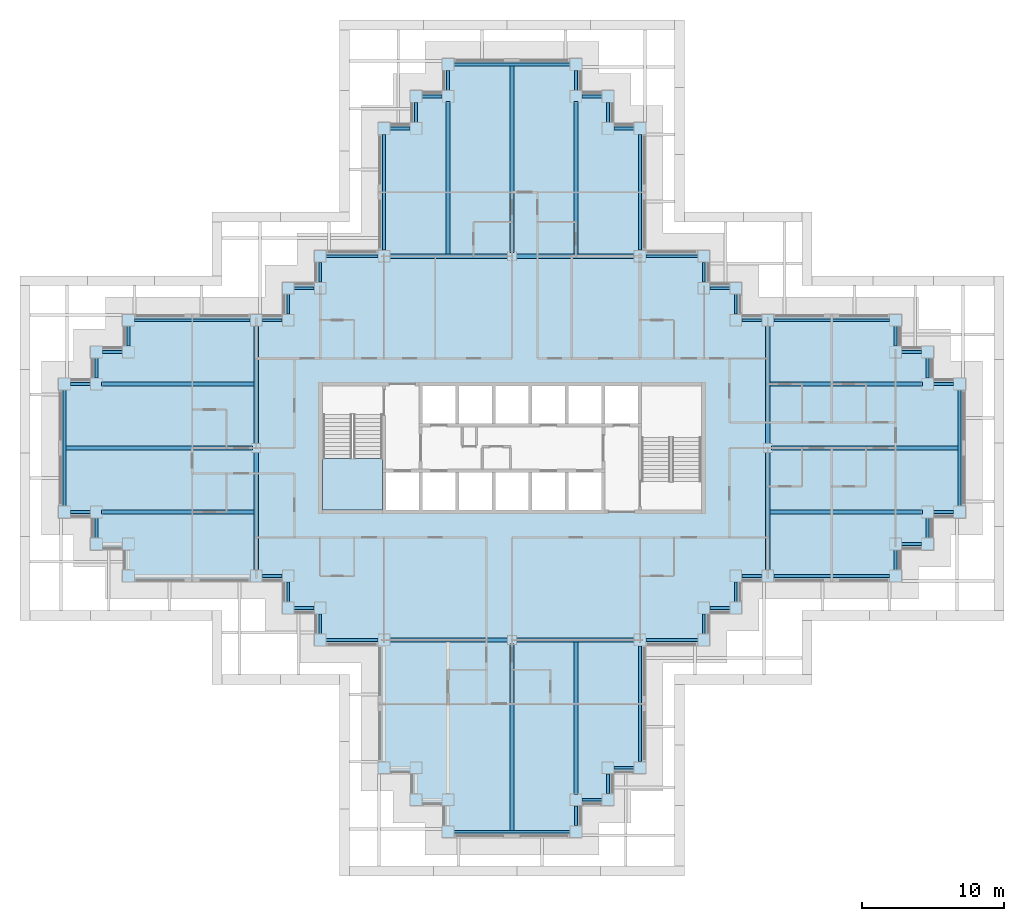
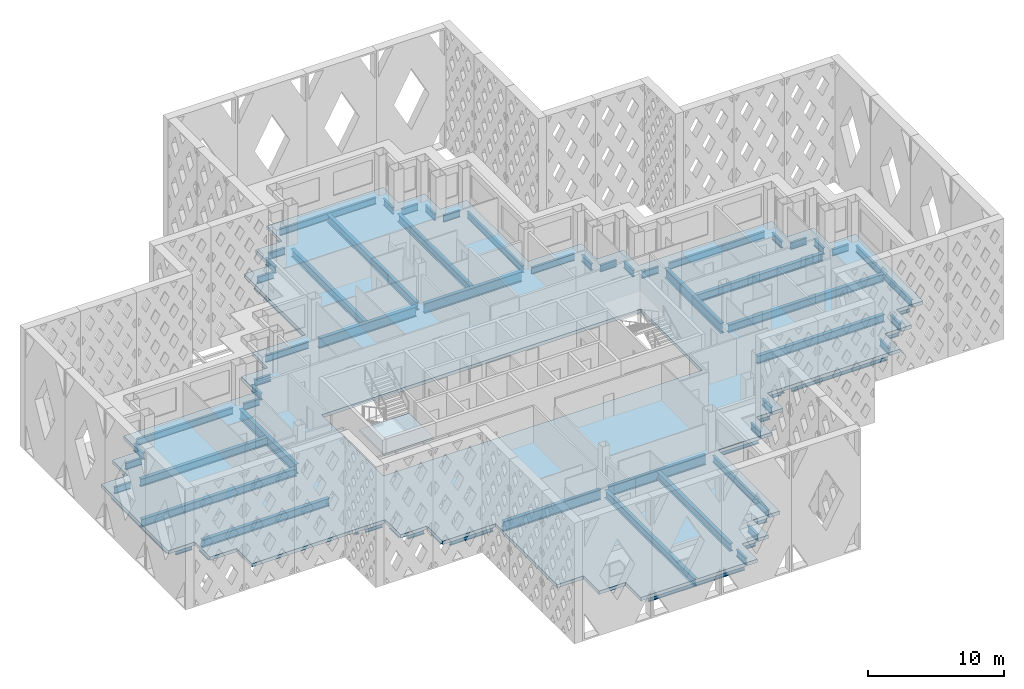
# One storey, part 3 of 21: 75 beams, 2 slabs, 1 element without a shape of its own.
"""IFC4 building model written with IfcOpenShell, lengths in metres."""

from ifc_helpers import new_model, si_unit, direction, frame, origin, origin_2d, place, context, subcontext, project, spatial, polyline, i_section, outline, extrude, material, layer, layer_set, material_profile, profile_set, type_object, element, aggregate, save


model = new_model("IFC4")

# Units and contexts
model_context = context("Model", 3, precision=1e-05, world=origin(), true_north=direction((0.0, 1.0)))
body_context = subcontext(model_context, "Body", "Model", "MODEL_VIEW")
ifc_project = project(units=[si_unit("LENGTHUNIT", "METRE"), si_unit("AREAUNIT", "SQUARE_METRE"), si_unit("VOLUMEUNIT", "CUBIC_METRE"), si_unit("PLANEANGLEUNIT", "RADIAN"), si_unit("MASSUNIT", "GRAM", prefix="KILO")], contexts=[model_context])

# Site, building, storey
site_placement = place(None, origin())
site = spatial("IfcSite", under=ifc_project, at=site_placement, CompositionType="ELEMENT")
building_placement = place(site_placement, origin())
building = spatial("IfcBuilding", under=site, at=building_placement, Name="Caravel Reach Hotel and Residences", CompositionType="ELEMENT")
storey_placement = place(building_placement, frame((0.0, 0.0, 129.60009765625)))
storey = spatial("IfcBuildingStorey", under=building, at=storey_placement, Name="L32", CompositionType="ELEMENT", Elevation=129.60009765625)

# Beams
ifc_material_1 = material(Name="Structural steel Q355B", Category="steel")
ifc_material_profile_1 = material_profile(ifc_material_1, i_section(OverallWidth=0.300048828125, OverallDepth=0.699951171875, WebThickness=0.012939453125, FlangeThickness=0.02392578125, FilletRadius=0.01806640625, at=origin_2d()), Name="HN 700x300x13x24")
ifc_profile_set_1 = profile_set([ifc_material_profile_1], Name="Structural steel Q355B")
beam_type_1 = type_object("IfcBeamType", Name="Beam HN 700x300x13x24", PredefinedType="BEAM", material=ifc_profile_set_1)
beam_1_placement = place(storey_placement, frame((27.0, 40.60009765625, -0.650146484375), z_axis=(0.0, 1.0, 0.0), x_axis=(-1.0, 0.0, 0.0)))
element("IfcBeam", 1, at=beam_1_placement, inside=storey, type_object=beam_type_1, Name="B2 HN 700x300x13x24", PredefinedType="BEAM", context=body_context, shape_type="SweptSolid", body=[
    extrude(i_section(OverallWidth=0.300048828125, OverallDepth=0.699951171875, WebThickness=0.012939453125, FlangeThickness=0.02392578125, FilletRadius=0.01806640625, at=origin_2d()), origin(), (0.0, 0.0, 1.0), 10.77490234375),
])
beam_2_placement = place(storey_placement, frame((31.5, 40.77490234375, -0.650146484375), z_axis=(0.0, 1.0, 0.0), x_axis=(-1.0, 0.0, 0.0)))
element("IfcBeam", 2, at=beam_2_placement, inside=storey, type_object=beam_type_1, Name="B2 HN 700x300x13x24", PredefinedType="BEAM", context=body_context, shape_type="SweptSolid", body=[
    extrude(i_section(OverallWidth=0.300048828125, OverallDepth=0.699951171875, WebThickness=0.012939453125, FlangeThickness=0.02392578125, FilletRadius=0.01806640625, at=origin_2d()), origin(), (0.0, 0.0, 1.0), 13.125),
])
beam_3_placement = place(storey_placement, frame((36.0, 40.60009765625, -0.650146484375), z_axis=(0.0, 1.0, 0.0), x_axis=(-1.0, 0.0, 0.0)))
element("IfcBeam", 3, at=beam_3_placement, inside=storey, type_object=beam_type_1, Name="B2 HN 700x300x13x24", PredefinedType="BEAM", context=body_context, shape_type="SweptSolid", body=[
    extrude(i_section(OverallWidth=0.300048828125, OverallDepth=0.699951171875, WebThickness=0.012939453125, FlangeThickness=0.02392578125, FilletRadius=0.01806640625, at=origin_2d()), origin(), (0.0, 0.0, 1.0), 10.77490234375),
])
beam_4_placement = place(storey_placement, frame((31.5, 13.22509765625, -0.650146484375), z_axis=(0.0, -1.0, 0.0), x_axis=(1.0, 0.0, 0.0)))
element("IfcBeam", 4, at=beam_4_placement, inside=storey, type_object=beam_type_1, Name="B2 HN 700x300x13x24", PredefinedType="BEAM", context=body_context, shape_type="SweptSolid", body=[
    extrude(i_section(OverallWidth=0.300048828125, OverallDepth=0.699951171875, WebThickness=0.012939453125, FlangeThickness=0.02392578125, FilletRadius=0.01806640625, at=origin_2d()), origin(), (0.0, 0.0, 1.0), 13.125),
])
for number, where, z_axis, x_axis, name in (
    (5, (36.0, 13.39990234375, -0.650146484375), (0.0, -1.0, 0.0), (1.0, 0.0, 0.0), "B2 HN 700x300x13x24"),
    (6, (49.60009765625, 22.5, -0.650146484375), (1.0, 0.0, 0.0), (0.0, 1.0, 0.0), "B2 HN 700x300x13x24"),
):
    element("IfcBeam", number, at=place(storey_placement, frame(where, z_axis=z_axis, x_axis=x_axis)), inside=storey, type_object=beam_type_1, Name=name, PredefinedType="BEAM", context=body_context, shape_type="SweptSolid", body=[
        extrude(i_section(OverallWidth=0.300048828125, OverallDepth=0.699951171875, WebThickness=0.012939453125, FlangeThickness=0.02392578125, FilletRadius=0.01806640625, at=origin_2d()), origin(), (0.0, 0.0, 1.0), 10.77490234375),
    ])
beam_5_placement = place(storey_placement, frame((49.77490234375, 27.0, -0.650146484375), z_axis=(1.0, 0.0, 0.0), x_axis=(0.0, 1.0, 0.0)))
element("IfcBeam", 7, at=beam_5_placement, inside=storey, type_object=beam_type_1, Name="B2 HN 700x300x13x24", PredefinedType="BEAM", context=body_context, shape_type="SweptSolid", body=[
    extrude(i_section(OverallWidth=0.300048828125, OverallDepth=0.699951171875, WebThickness=0.012939453125, FlangeThickness=0.02392578125, FilletRadius=0.01806640625, at=origin_2d()), origin(), (0.0, 0.0, 1.0), 13.125),
])
for number, where, z_axis, x_axis, name in (
    (8, (49.60009765625, 31.5, -0.650146484375), (1.0, 0.0, 0.0), (0.0, 1.0, 0.0), "B2 HN 700x300x13x24"),
    (9, (13.39990234375, 22.5, -0.650146484375), (-1.0, 0.0, 0.0), (0.0, -1.0, 0.0), "B2 HN 700x300x13x24"),
):
    element("IfcBeam", number, at=place(storey_placement, frame(where, z_axis=z_axis, x_axis=x_axis)), inside=storey, type_object=beam_type_1, Name=name, PredefinedType="BEAM", context=body_context, shape_type="SweptSolid", body=[
        extrude(i_section(OverallWidth=0.300048828125, OverallDepth=0.699951171875, WebThickness=0.012939453125, FlangeThickness=0.02392578125, FilletRadius=0.01806640625, at=origin_2d()), origin(), (0.0, 0.0, 1.0), 10.77490234375),
    ])
beam_6_placement = place(storey_placement, frame((13.22509765625, 27.0, -0.650146484375), z_axis=(-1.0, 0.0, 0.0), x_axis=(0.0, -1.0, 0.0)))
element("IfcBeam", 10, at=beam_6_placement, inside=storey, type_object=beam_type_1, Name="B2 HN 700x300x13x24", PredefinedType="BEAM", context=body_context, shape_type="SweptSolid", body=[
    extrude(i_section(OverallWidth=0.300048828125, OverallDepth=0.699951171875, WebThickness=0.012939453125, FlangeThickness=0.02392578125, FilletRadius=0.01806640625, at=origin_2d()), origin(), (0.0, 0.0, 1.0), 13.125),
])
beam_7_placement = place(storey_placement, frame((13.39990234375, 31.5, -0.650146484375), z_axis=(-1.0, 0.0, 0.0), x_axis=(0.0, -1.0, 0.0)))
element("IfcBeam", 11, at=beam_7_placement, inside=storey, type_object=beam_type_1, Name="B2 HN 700x300x13x24", PredefinedType="BEAM", context=body_context, shape_type="SweptSolid", body=[
    extrude(i_section(OverallWidth=0.300048828125, OverallDepth=0.699951171875, WebThickness=0.012939453125, FlangeThickness=0.02392578125, FilletRadius=0.01806640625, at=origin_2d()), origin(), (0.0, 0.0, 1.0), 10.77490234375),
])
ifc_material_2 = material(Name="Structural steel Q355B", Category="steel")
ifc_material_profile_2 = material_profile(ifc_material_2, i_section(OverallWidth=0.300048828125, OverallDepth=0.89990234375, WebThickness=0.01611328125, FlangeThickness=0.028076171875, FilletRadius=0.01806640625, at=origin_2d()), Name="HN 900x300x16x28")
ifc_profile_set_2 = profile_set([ifc_material_profile_2], Name="Structural steel Q355B")
beam_type_2 = type_object("IfcBeamType", Name="Beam HN 900x300x16x28", PredefinedType="BEAM", material=ifc_profile_set_2)
for number, where, z_axis, x_axis, name in (
    (12, (22.925048828125, 40.5, -0.75), (1.0, 0.0, 0.0), (0.0, 1.0, 0.0), "B3 HN 900x300x16x28"),
    (13, (31.824951171875, 40.5, -0.75), (1.0, 0.0, 0.0), (0.0, 1.0, 0.0), "B3 HN 900x300x16x28"),
    (14, (22.925048828125, 13.5, -0.75), (1.0, 0.0, 0.0), (0.0, 1.0, 0.0), "B3 HN 900x300x16x28"),
    (15, (31.824951171875, 13.5, -0.75), (1.0, 0.0, 0.0), (0.0, 1.0, 0.0), "B3 HN 900x300x16x28"),
    (16, (13.5, 18.425048828125, -0.75), (0.0, 1.0, 0.0), (-1.0, 0.0, 0.0), "B3 HN 900x300x16x28"),
    (17, (13.5, 27.324951171875, -0.75), (0.0, 1.0, 0.0), (-1.0, 0.0, 0.0), "B3 HN 900x300x16x28"),
    (18, (49.5, 18.425048828125, -0.75), (0.0, 1.0, 0.0), (-1.0, 0.0, 0.0), "B3 HN 900x300x16x28"),
    (19, (49.5, 27.324951171875, -0.75), (0.0, 1.0, 0.0), (-1.0, 0.0, 0.0), "B3 HN 900x300x16x28"),
):
    element("IfcBeam", number, at=place(storey_placement, frame(where, z_axis=z_axis, x_axis=x_axis)), inside=storey, type_object=beam_type_2, Name=name, PredefinedType="BEAM", context=body_context, shape_type="SweptSolid", body=[
        extrude(i_section(OverallWidth=0.300048828125, OverallDepth=0.89990234375, WebThickness=0.01611328125, FlangeThickness=0.028076171875, FilletRadius=0.01806640625, at=origin_2d()), origin(), (0.0, 0.0, 1.0), 8.25),
    ])
ifc_material_3 = material(Name="Structural steel Q355B", Category="steel")
ifc_material_profile_3 = material_profile(ifc_material_3, i_section(OverallWidth=0.199951171875, OverallDepth=0.60009765625, WebThickness=0.010986328125, FlangeThickness=0.01708984375, FilletRadius=0.012939453125, at=origin_2d()), Name="HN 600x200x11x17")
ifc_profile_set_3 = profile_set([ifc_material_profile_3], Name="Structural steel Q355B")
beam_type_3 = type_object("IfcBeamType", Name="Spandrel beam HN 600x200x11x17", PredefinedType="SPANDREL", material=ifc_profile_set_3)
beam_8_placement = place(storey_placement, frame((27.425048828125, 0.0, -0.60009765625), z_axis=(1.0, 0.0, 0.0), x_axis=(0.0, 1.0, 0.0)))
element("IfcBeam", 20, at=beam_8_placement, inside=storey, type_object=beam_type_3, Name="SP1 HN 600x200x11x17", PredefinedType="SPANDREL", context=body_context, shape_type="SweptSolid", body=[
    extrude(i_section(OverallWidth=0.199951171875, OverallDepth=0.60009765625, WebThickness=0.010986328125, FlangeThickness=0.01708984375, FilletRadius=0.012939453125, at=origin_2d()), origin(), (0.0, 0.0, 1.0), 8.14990234375),
])
for number, where, z_axis, x_axis, name in (
    (21, (36.0, 0.425048828125, -0.60009765625), (0.0, 1.0, 0.0), (-1.0, 0.0, 0.0), "SP1 HN 600x200x11x17"),
    (22, (36.425048828125, 2.25, -0.60009765625), (1.0, 0.0, 0.0), (0.0, 1.0, 0.0), "SP1 HN 600x200x11x17"),
    (23, (38.25, 2.675048828125, -0.60009765625), (0.0, 1.0, 0.0), (-1.0, 0.0, 0.0), "SP1 HN 600x200x11x17"),
    (24, (38.675048828125, 4.5, -0.60009765625), (1.0, 0.0, 0.0), (0.0, 1.0, 0.0), "SP1 HN 600x200x11x17"),
):
    element("IfcBeam", number, at=place(storey_placement, frame(where, z_axis=z_axis, x_axis=x_axis)), inside=storey, type_object=beam_type_3, Name=name, PredefinedType="SPANDREL", context=body_context, shape_type="SweptSolid", body=[
        extrude(i_section(OverallWidth=0.199951171875, OverallDepth=0.60009765625, WebThickness=0.010986328125, FlangeThickness=0.01708984375, FilletRadius=0.012939453125, at=origin_2d()), origin(), (0.0, 0.0, 1.0), 1.39990234375),
    ])
beam_9_placement = place(storey_placement, frame((40.5, 4.925048828125, -0.60009765625), z_axis=(0.0, 1.0, 0.0), x_axis=(-1.0, 0.0, 0.0)))
element("IfcBeam", 25, at=beam_9_placement, inside=storey, type_object=beam_type_3, Name="SP1 HN 600x200x11x17", PredefinedType="SPANDREL", context=body_context, shape_type="SweptSolid", body=[
    extrude(i_section(OverallWidth=0.199951171875, OverallDepth=0.60009765625, WebThickness=0.010986328125, FlangeThickness=0.01708984375, FilletRadius=0.012939453125, at=origin_2d()), origin(), (0.0, 0.0, 1.0), 8.14990234375),
])
beam_10_placement = place(storey_placement, frame((40.925048828125, 13.5, -0.60009765625), z_axis=(1.0, 0.0, 0.0), x_axis=(0.0, 1.0, 0.0)))
element("IfcBeam", 26, at=beam_10_placement, inside=storey, type_object=beam_type_3, Name="SP1 HN 600x200x11x17", PredefinedType="SPANDREL", context=body_context, shape_type="SweptSolid", body=[
    extrude(i_section(OverallWidth=0.199951171875, OverallDepth=0.60009765625, WebThickness=0.010986328125, FlangeThickness=0.01708984375, FilletRadius=0.012939453125, at=origin_2d()), origin(), (0.0, 0.0, 1.0), 3.64990234375),
])
for number, where, z_axis, x_axis, name in (
    (27, (45.0, 13.925048828125, -0.60009765625), (0.0, 1.0, 0.0), (-1.0, 0.0, 0.0), "SP1 HN 600x200x11x17"),
    (28, (45.425048828125, 15.75, -0.60009765625), (1.0, 0.0, 0.0), (0.0, 1.0, 0.0), "SP1 HN 600x200x11x17"),
    (29, (47.25, 16.175048828125, -0.60009765625), (0.0, 1.0, 0.0), (-1.0, 0.0, 0.0), "SP1 HN 600x200x11x17"),
    (30, (47.675048828125, 18.0, -0.60009765625), (1.0, 0.0, 0.0), (0.0, 1.0, 0.0), "SP1 HN 600x200x11x17"),
):
    element("IfcBeam", number, at=place(storey_placement, frame(where, z_axis=z_axis, x_axis=x_axis)), inside=storey, type_object=beam_type_3, Name=name, PredefinedType="SPANDREL", context=body_context, shape_type="SweptSolid", body=[
        extrude(i_section(OverallWidth=0.199951171875, OverallDepth=0.60009765625, WebThickness=0.010986328125, FlangeThickness=0.01708984375, FilletRadius=0.012939453125, at=origin_2d()), origin(), (0.0, 0.0, 1.0), 1.39990234375),
    ])
beam_11_placement = place(storey_placement, frame((49.925048828125, 18.0, -0.60009765625), z_axis=(1.0, 0.0, 0.0), x_axis=(0.0, 1.0, 0.0)))
element("IfcBeam", 31, at=beam_11_placement, inside=storey, type_object=beam_type_3, Name="SP1 HN 600x200x11x17", PredefinedType="SPANDREL", context=body_context, shape_type="SweptSolid", body=[
    extrude(i_section(OverallWidth=0.199951171875, OverallDepth=0.60009765625, WebThickness=0.010986328125, FlangeThickness=0.01708984375, FilletRadius=0.012939453125, at=origin_2d()), origin(), (0.0, 0.0, 1.0), 8.14990234375),
])
for number, where, z_axis, x_axis, name in (
    (32, (58.5, 18.425048828125, -0.60009765625), (0.0, 1.0, 0.0), (-1.0, 0.0, 0.0), "SP1 HN 600x200x11x17"),
    (33, (58.925048828125, 20.25, -0.60009765625), (1.0, 0.0, 0.0), (0.0, 1.0, 0.0), "SP1 HN 600x200x11x17"),
    (34, (60.75, 20.675048828125, -0.60009765625), (0.0, 1.0, 0.0), (-1.0, 0.0, 0.0), "SP1 HN 600x200x11x17"),
    (35, (61.175048828125, 22.5, -0.60009765625), (1.0, 0.0, 0.0), (0.0, 1.0, 0.0), "SP1 HN 600x200x11x17"),
):
    element("IfcBeam", number, at=place(storey_placement, frame(where, z_axis=z_axis, x_axis=x_axis)), inside=storey, type_object=beam_type_3, Name=name, PredefinedType="SPANDREL", context=body_context, shape_type="SweptSolid", body=[
        extrude(i_section(OverallWidth=0.199951171875, OverallDepth=0.60009765625, WebThickness=0.010986328125, FlangeThickness=0.01708984375, FilletRadius=0.012939453125, at=origin_2d()), origin(), (0.0, 0.0, 1.0), 1.39990234375),
    ])
beam_12_placement = place(storey_placement, frame((63.0, 22.925048828125, -0.60009765625), z_axis=(0.0, 1.0, 0.0), x_axis=(-1.0, 0.0, 0.0)))
element("IfcBeam", 36, at=beam_12_placement, inside=storey, type_object=beam_type_3, Name="SP1 HN 600x200x11x17", PredefinedType="SPANDREL", context=body_context, shape_type="SweptSolid", body=[
    extrude(i_section(OverallWidth=0.199951171875, OverallDepth=0.60009765625, WebThickness=0.010986328125, FlangeThickness=0.01708984375, FilletRadius=0.012939453125, at=origin_2d()), origin(), (0.0, 0.0, 1.0), 8.14990234375),
])
for number, where, z_axis, x_axis, name in (
    (37, (62.574951171875, 31.5, -0.60009765625), (-1.0, 0.0, 0.0), (0.0, -1.0, 0.0), "SP1 HN 600x200x11x17"),
    (38, (60.75, 31.925048828125, -0.60009765625), (0.0, 1.0, 0.0), (-1.0, 0.0, 0.0), "SP1 HN 600x200x11x17"),
    (39, (60.324951171875, 33.75, -0.60009765625), (-1.0, 0.0, 0.0), (0.0, -1.0, 0.0), "SP1 HN 600x200x11x17"),
    (40, (58.5, 34.175048828125, -0.60009765625), (0.0, 1.0, 0.0), (-1.0, 0.0, 0.0), "SP1 HN 600x200x11x17"),
):
    element("IfcBeam", number, at=place(storey_placement, frame(where, z_axis=z_axis, x_axis=x_axis)), inside=storey, type_object=beam_type_3, Name=name, PredefinedType="SPANDREL", context=body_context, shape_type="SweptSolid", body=[
        extrude(i_section(OverallWidth=0.199951171875, OverallDepth=0.60009765625, WebThickness=0.010986328125, FlangeThickness=0.01708984375, FilletRadius=0.012939453125, at=origin_2d()), origin(), (0.0, 0.0, 1.0), 1.39990234375),
    ])
beam_13_placement = place(storey_placement, frame((58.074951171875, 36.0, -0.60009765625), z_axis=(-1.0, 0.0, 0.0), x_axis=(0.0, -1.0, 0.0)))
element("IfcBeam", 41, at=beam_13_placement, inside=storey, type_object=beam_type_3, Name="SP1 HN 600x200x11x17", PredefinedType="SPANDREL", context=body_context, shape_type="SweptSolid", body=[
    extrude(i_section(OverallWidth=0.199951171875, OverallDepth=0.60009765625, WebThickness=0.010986328125, FlangeThickness=0.01708984375, FilletRadius=0.012939453125, at=origin_2d()), origin(), (0.0, 0.0, 1.0), 8.14990234375),
])
for number, where, z_axis, x_axis, name in (
    (42, (49.074951171875, 36.0, -0.60009765625), (-1.0, 0.0, 0.0), (0.0, -1.0, 0.0), "SP1 HN 600x200x11x17"),
    (43, (47.25, 36.425048828125, -0.60009765625), (0.0, 1.0, 0.0), (-1.0, 0.0, 0.0), "SP1 HN 600x200x11x17"),
    (44, (46.824951171875, 38.25, -0.60009765625), (-1.0, 0.0, 0.0), (0.0, -1.0, 0.0), "SP1 HN 600x200x11x17"),
    (45, (45.0, 38.675048828125, -0.60009765625), (0.0, 1.0, 0.0), (-1.0, 0.0, 0.0), "SP1 HN 600x200x11x17"),
):
    element("IfcBeam", number, at=place(storey_placement, frame(where, z_axis=z_axis, x_axis=x_axis)), inside=storey, type_object=beam_type_3, Name=name, PredefinedType="SPANDREL", context=body_context, shape_type="SweptSolid", body=[
        extrude(i_section(OverallWidth=0.199951171875, OverallDepth=0.60009765625, WebThickness=0.010986328125, FlangeThickness=0.01708984375, FilletRadius=0.012939453125, at=origin_2d()), origin(), (0.0, 0.0, 1.0), 1.39990234375),
    ])
beam_14_placement = place(storey_placement, frame((44.574951171875, 40.5, -0.60009765625), z_axis=(-1.0, 0.0, 0.0), x_axis=(0.0, -1.0, 0.0)))
element("IfcBeam", 46, at=beam_14_placement, inside=storey, type_object=beam_type_3, Name="SP1 HN 600x200x11x17", PredefinedType="SPANDREL", context=body_context, shape_type="SweptSolid", body=[
    extrude(i_section(OverallWidth=0.199951171875, OverallDepth=0.60009765625, WebThickness=0.010986328125, FlangeThickness=0.01708984375, FilletRadius=0.012939453125, at=origin_2d()), origin(), (0.0, 0.0, 1.0), 3.64990234375),
])
beam_15_placement = place(storey_placement, frame((40.5, 40.925048828125, -0.60009765625), z_axis=(0.0, 1.0, 0.0), x_axis=(-1.0, 0.0, 0.0)))
element("IfcBeam", 47, at=beam_15_placement, inside=storey, type_object=beam_type_3, Name="SP1 HN 600x200x11x17", PredefinedType="SPANDREL", context=body_context, shape_type="SweptSolid", body=[
    extrude(i_section(OverallWidth=0.199951171875, OverallDepth=0.60009765625, WebThickness=0.010986328125, FlangeThickness=0.01708984375, FilletRadius=0.012939453125, at=origin_2d()), origin(), (0.0, 0.0, 1.0), 8.14990234375),
])
for number, where, z_axis, x_axis, name in (
    (48, (40.074951171875, 49.5, -0.60009765625), (-1.0, 0.0, 0.0), (0.0, -1.0, 0.0), "SP1 HN 600x200x11x17"),
    (49, (38.25, 49.925048828125, -0.60009765625), (0.0, 1.0, 0.0), (-1.0, 0.0, 0.0), "SP1 HN 600x200x11x17"),
    (50, (37.824951171875, 51.75, -0.60009765625), (-1.0, 0.0, 0.0), (0.0, -1.0, 0.0), "SP1 HN 600x200x11x17"),
    (51, (36.0, 52.175048828125, -0.60009765625), (0.0, 1.0, 0.0), (-1.0, 0.0, 0.0), "SP1 HN 600x200x11x17"),
):
    element("IfcBeam", number, at=place(storey_placement, frame(where, z_axis=z_axis, x_axis=x_axis)), inside=storey, type_object=beam_type_3, Name=name, PredefinedType="SPANDREL", context=body_context, shape_type="SweptSolid", body=[
        extrude(i_section(OverallWidth=0.199951171875, OverallDepth=0.60009765625, WebThickness=0.010986328125, FlangeThickness=0.01708984375, FilletRadius=0.012939453125, at=origin_2d()), origin(), (0.0, 0.0, 1.0), 1.39990234375),
    ])
beam_16_placement = place(storey_placement, frame((35.574951171875, 54.0, -0.60009765625), z_axis=(-1.0, 0.0, 0.0), x_axis=(0.0, -1.0, 0.0)))
element("IfcBeam", 52, at=beam_16_placement, inside=storey, type_object=beam_type_3, Name="SP1 HN 600x200x11x17", PredefinedType="SPANDREL", context=body_context, shape_type="SweptSolid", body=[
    extrude(i_section(OverallWidth=0.199951171875, OverallDepth=0.60009765625, WebThickness=0.010986328125, FlangeThickness=0.01708984375, FilletRadius=0.012939453125, at=origin_2d()), origin(), (0.0, 0.0, 1.0), 8.14990234375),
])
for number, where, z_axis, x_axis, name in (
    (53, (27.0, 53.574951171875, -0.60009765625), (0.0, -1.0, 0.0), (1.0, 0.0, 0.0), "SP1 HN 600x200x11x17"),
    (54, (26.574951171875, 51.75, -0.60009765625), (-1.0, 0.0, 0.0), (0.0, -1.0, 0.0), "SP1 HN 600x200x11x17"),
    (55, (24.75, 51.324951171875, -0.60009765625), (0.0, -1.0, 0.0), (1.0, 0.0, 0.0), "SP1 HN 600x200x11x17"),
    (56, (24.324951171875, 49.5, -0.60009765625), (-1.0, 0.0, 0.0), (0.0, -1.0, 0.0), "SP1 HN 600x200x11x17"),
):
    element("IfcBeam", number, at=place(storey_placement, frame(where, z_axis=z_axis, x_axis=x_axis)), inside=storey, type_object=beam_type_3, Name=name, PredefinedType="SPANDREL", context=body_context, shape_type="SweptSolid", body=[
        extrude(i_section(OverallWidth=0.199951171875, OverallDepth=0.60009765625, WebThickness=0.010986328125, FlangeThickness=0.01708984375, FilletRadius=0.012939453125, at=origin_2d()), origin(), (0.0, 0.0, 1.0), 1.39990234375),
    ])
beam_17_placement = place(storey_placement, frame((22.5, 49.074951171875, -0.60009765625), z_axis=(0.0, -1.0, 0.0), x_axis=(1.0, 0.0, 0.0)))
element("IfcBeam", 57, at=beam_17_placement, inside=storey, type_object=beam_type_3, Name="SP1 HN 600x200x11x17", PredefinedType="SPANDREL", context=body_context, shape_type="SweptSolid", body=[
    extrude(i_section(OverallWidth=0.199951171875, OverallDepth=0.60009765625, WebThickness=0.010986328125, FlangeThickness=0.01708984375, FilletRadius=0.012939453125, at=origin_2d()), origin(), (0.0, 0.0, 1.0), 8.14990234375),
])
beam_18_placement = place(storey_placement, frame((22.074951171875, 40.5, -0.60009765625), z_axis=(-1.0, 0.0, 0.0), x_axis=(0.0, -1.0, 0.0)))
element("IfcBeam", 58, at=beam_18_placement, inside=storey, type_object=beam_type_3, Name="SP1 HN 600x200x11x17", PredefinedType="SPANDREL", context=body_context, shape_type="SweptSolid", body=[
    extrude(i_section(OverallWidth=0.199951171875, OverallDepth=0.60009765625, WebThickness=0.010986328125, FlangeThickness=0.01708984375, FilletRadius=0.012939453125, at=origin_2d()), origin(), (0.0, 0.0, 1.0), 3.64990234375),
])
for number, where, z_axis, x_axis, name in (
    (59, (18.0, 40.074951171875, -0.60009765625), (0.0, -1.0, 0.0), (1.0, 0.0, 0.0), "SP1 HN 600x200x11x17"),
    (60, (17.574951171875, 38.25, -0.60009765625), (-1.0, 0.0, 0.0), (0.0, -1.0, 0.0), "SP1 HN 600x200x11x17"),
    (61, (15.75, 37.824951171875, -0.60009765625), (0.0, -1.0, 0.0), (1.0, 0.0, 0.0), "SP1 HN 600x200x11x17"),
    (62, (15.324951171875, 36.0, -0.60009765625), (-1.0, 0.0, 0.0), (0.0, -1.0, 0.0), "SP1 HN 600x200x11x17"),
):
    element("IfcBeam", number, at=place(storey_placement, frame(where, z_axis=z_axis, x_axis=x_axis)), inside=storey, type_object=beam_type_3, Name=name, PredefinedType="SPANDREL", context=body_context, shape_type="SweptSolid", body=[
        extrude(i_section(OverallWidth=0.199951171875, OverallDepth=0.60009765625, WebThickness=0.010986328125, FlangeThickness=0.01708984375, FilletRadius=0.012939453125, at=origin_2d()), origin(), (0.0, 0.0, 1.0), 1.39990234375),
    ])
beam_19_placement = place(storey_placement, frame((13.074951171875, 36.0, -0.60009765625), z_axis=(-1.0, 0.0, 0.0), x_axis=(0.0, -1.0, 0.0)))
element("IfcBeam", 63, at=beam_19_placement, inside=storey, type_object=beam_type_3, Name="SP1 HN 600x200x11x17", PredefinedType="SPANDREL", context=body_context, shape_type="SweptSolid", body=[
    extrude(i_section(OverallWidth=0.199951171875, OverallDepth=0.60009765625, WebThickness=0.010986328125, FlangeThickness=0.01708984375, FilletRadius=0.012939453125, at=origin_2d()), origin(), (0.0, 0.0, 1.0), 8.14990234375),
])
for number, where, z_axis, x_axis, name in (
    (64, (4.5, 35.574951171875, -0.60009765625), (0.0, -1.0, 0.0), (1.0, 0.0, 0.0), "SP1 HN 600x200x11x17"),
    (65, (4.074951171875, 33.75, -0.60009765625), (-1.0, 0.0, 0.0), (0.0, -1.0, 0.0), "SP1 HN 600x200x11x17"),
    (66, (2.25, 33.324951171875, -0.60009765625), (0.0, -1.0, 0.0), (1.0, 0.0, 0.0), "SP1 HN 600x200x11x17"),
    (67, (1.824951171875, 31.5, -0.60009765625), (-1.0, 0.0, 0.0), (0.0, -1.0, 0.0), "SP1 HN 600x200x11x17"),
):
    element("IfcBeam", number, at=place(storey_placement, frame(where, z_axis=z_axis, x_axis=x_axis)), inside=storey, type_object=beam_type_3, Name=name, PredefinedType="SPANDREL", context=body_context, shape_type="SweptSolid", body=[
        extrude(i_section(OverallWidth=0.199951171875, OverallDepth=0.60009765625, WebThickness=0.010986328125, FlangeThickness=0.01708984375, FilletRadius=0.012939453125, at=origin_2d()), origin(), (0.0, 0.0, 1.0), 1.39990234375),
    ])
beam_20_placement = place(storey_placement, frame((0.0, 31.074951171875, -0.60009765625), z_axis=(0.0, -1.0, 0.0), x_axis=(1.0, 0.0, 0.0)))
element("IfcBeam", 68, at=beam_20_placement, inside=storey, type_object=beam_type_3, Name="SP1 HN 600x200x11x17", PredefinedType="SPANDREL", context=body_context, shape_type="SweptSolid", body=[
    extrude(i_section(OverallWidth=0.199951171875, OverallDepth=0.60009765625, WebThickness=0.010986328125, FlangeThickness=0.01708984375, FilletRadius=0.012939453125, at=origin_2d()), origin(), (0.0, 0.0, 1.0), 8.14990234375),
])
for number, where, z_axis, x_axis, name in (
    (69, (0.425048828125, 22.5, -0.60009765625), (1.0, 0.0, 0.0), (0.0, 1.0, 0.0), "SP1 HN 600x200x11x17"),
    (70, (2.25, 22.074951171875, -0.60009765625), (0.0, -1.0, 0.0), (1.0, 0.0, 0.0), "SP1 HN 600x200x11x17"),
    (71, (13.925048828125, 18.0, -0.60009765625), (1.0, 0.0, 0.0), (0.0, 1.0, 0.0), "SP1 HN 600x200x11x17"),
    (72, (15.75, 17.574951171875, -0.60009765625), (0.0, -1.0, 0.0), (1.0, 0.0, 0.0), "SP1 HN 600x200x11x17"),
    (73, (16.175048828125, 15.75, -0.60009765625), (1.0, 0.0, 0.0), (0.0, 1.0, 0.0), "SP1 HN 600x200x11x17"),
    (74, (18.0, 15.324951171875, -0.60009765625), (0.0, -1.0, 0.0), (1.0, 0.0, 0.0), "SP1 HN 600x200x11x17"),
):
    element("IfcBeam", number, at=place(storey_placement, frame(where, z_axis=z_axis, x_axis=x_axis)), inside=storey, type_object=beam_type_3, Name=name, PredefinedType="SPANDREL", context=body_context, shape_type="SweptSolid", body=[
        extrude(i_section(OverallWidth=0.199951171875, OverallDepth=0.60009765625, WebThickness=0.010986328125, FlangeThickness=0.01708984375, FilletRadius=0.012939453125, at=origin_2d()), origin(), (0.0, 0.0, 1.0), 1.39990234375),
    ])
beam_21_placement = place(storey_placement, frame((18.425048828125, 13.5, -0.60009765625), z_axis=(1.0, 0.0, 0.0), x_axis=(0.0, 1.0, 0.0)))
element("IfcBeam", 75, at=beam_21_placement, inside=storey, type_object=beam_type_3, Name="SP1 HN 600x200x11x17", PredefinedType="SPANDREL", context=body_context, shape_type="SweptSolid", body=[
    extrude(i_section(OverallWidth=0.199951171875, OverallDepth=0.60009765625, WebThickness=0.010986328125, FlangeThickness=0.01708984375, FilletRadius=0.012939453125, at=origin_2d()), origin(), (0.0, 0.0, 1.0), 3.64990234375),
])

# Stair, slab
ifc_material_4 = material(Name="Concrete C40", Category="concrete")
stair_type = type_object("IfcStairType", Name="Core stair", PredefinedType="HALF_TURN_STAIR", material=ifc_material_4)
stair_placement = place(storey_placement, origin())
stair = element("IfcStair", 76, at=stair_placement, inside=storey, type_object=stair_type, Name="L32 Exit stair A", PredefinedType="HALF_TURN_STAIR")
ifc_material_5 = material(Name="Concrete C40", Category="concrete")
ifc_layer_1 = layer(ifc_material_5, 0.199951171875)
ifc_layer_set_1 = layer_set([ifc_layer_1], Name="Core stair landing")
slab_type_1 = type_object("IfcSlabType", Name="Core stair landing", PredefinedType="LANDING", material=ifc_layer_set_1)
slab_1_placement = place(storey_placement, frame((0.0, 0.0, 1.599853515625)))
slab_1 = element("IfcSlab", 77, at=slab_1_placement, type_object=slab_type_1, Name="ST-A landing 1", PredefinedType="LANDING", context=body_context, shape_type="SweptSolid", body=[
    extrude(outline(polyline([(18.14990234375, 26.27001953125), (18.14990234375, 22.64990234375), (22.375, 22.64990234375), (22.375, 26.27001953125), (18.14990234375, 26.27001953125)])), origin(), (0.0, 0.0, 1.0), 0.199951171875),
])
aggregate(stair, [slab_1])

# Slab
ifc_material_6 = material(Name="Concrete C40 post-tensioned", Category="concrete")
ifc_layer_2 = layer(ifc_material_6, 0.300048828125)
ifc_layer_set_2 = layer_set([ifc_layer_2], Name="Floor slab 300")
slab_type_2 = type_object("IfcSlabType", Name="Floor slab 300", PredefinedType="FLOOR", material=ifc_layer_set_2)
slab_2_placement = place(storey_placement, frame((0.0, 0.0, -0.300048828125)))
element("IfcSlab", 78, at=slab_2_placement, inside=storey, type_object=slab_type_2, Name="S2 slab L32", PredefinedType="FLOOR", context=body_context, shape_type="SweptSolid", body=[
    extrude(outline(polyline([(17.574951171875, 13.074951171875), (17.574951171875, 15.324951171875), (15.324951171875, 15.324951171875), (15.324951171875, 17.574951171875), (4.074951171875, 17.574951171875), (4.074951171875, 19.824951171875), (1.824951171875, 19.824951171875), (1.824951171875, 22.074951171875), (-0.425048828125, 22.074951171875), (-0.425048828125, 31.925048828125), (1.824951171875, 31.925048828125), (1.824951171875, 34.175048828125), (4.074951171875, 34.175048828125), (4.074951171875, 36.425048828125), (15.324951171875, 36.425048828125), (15.324951171875, 38.675048828125), (17.574951171875, 38.675048828125), (17.574951171875, 40.925048828125), (22.074951171875, 40.925048828125), (22.074951171875, 49.925048828125), (24.324951171875, 49.925048828125), (24.324951171875, 52.175048828125), (26.574951171875, 52.175048828125), (26.574951171875, 54.425048828125), (36.425048828125, 54.425048828125), (36.425048828125, 52.175048828125), (38.675048828125, 52.175048828125), (38.675048828125, 49.925048828125), (40.925048828125, 49.925048828125), (40.925048828125, 40.925048828125), (45.425048828125, 40.925048828125), (45.425048828125, 38.675048828125), (47.675048828125, 38.675048828125), (47.675048828125, 36.425048828125), (58.925048828125, 36.425048828125), (58.925048828125, 34.175048828125), (61.175048828125, 34.175048828125), (61.175048828125, 31.925048828125), (63.425048828125, 31.925048828125), (63.425048828125, 22.074951171875), (61.175048828125, 22.074951171875), (61.175048828125, 19.824951171875), (58.925048828125, 19.824951171875), (58.925048828125, 17.574951171875), (47.675048828125, 17.574951171875), (47.675048828125, 15.324951171875), (45.425048828125, 15.324951171875), (45.425048828125, 13.074951171875), (40.925048828125, 13.074951171875), (40.925048828125, 4.074951171875), (38.675048828125, 4.074951171875), (38.675048828125, 1.824951171875), (36.425048828125, 1.824951171875), (36.425048828125, -0.425048828125), (26.574951171875, -0.425048828125), (26.574951171875, 1.824951171875), (24.324951171875, 1.824951171875), (24.324951171875, 4.074951171875), (22.074951171875, 4.074951171875), (22.074951171875, 13.074951171875), (17.574951171875, 13.074951171875)]), holes=[polyline([(45.0, 31.5), (18.0, 31.5), (18.0, 22.5), (45.0, 22.5), (45.0, 31.5)])]), origin(), (0.0, 0.0, 1.0), 0.300048828125),
])

save(model, "model.ifc")
